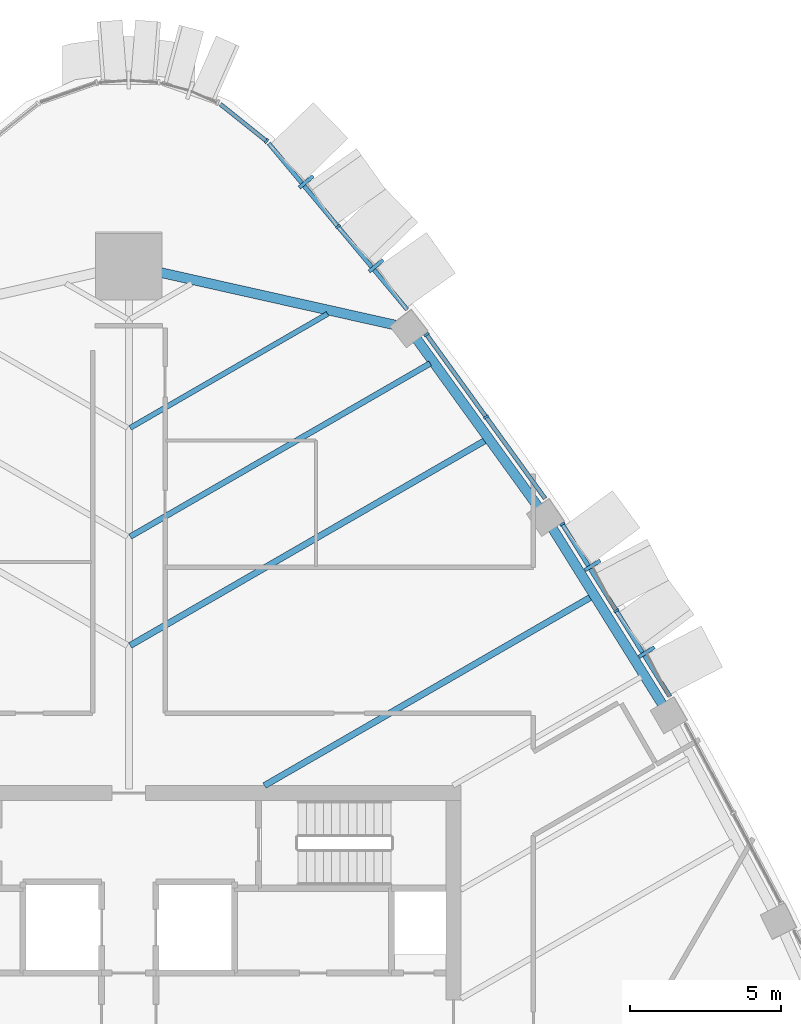
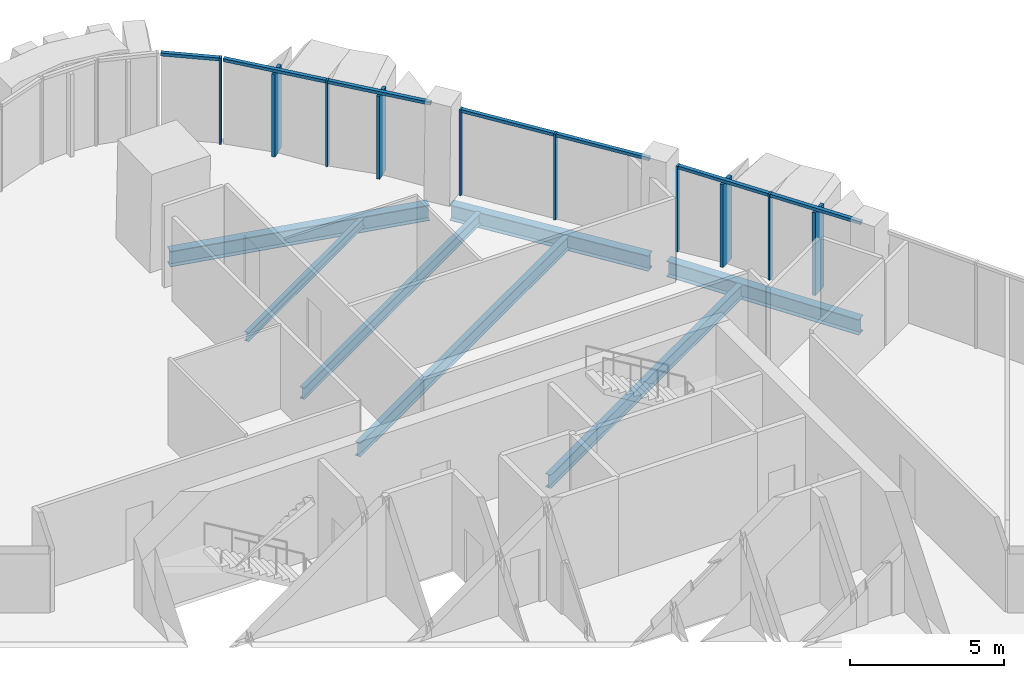
# One storey, part 7 of 18: 17 members, 7 beams, 4 elements without a shape of their own.
"""IFC4 building model written with IfcOpenShell, lengths in metres."""

import ifcopenshell
import ifcopenshell.guid

model = None  # the IFC model being written
_history = None  # IfcOwnerHistory: only IFC2X3 demands one
_inside = {}  # id of a spatial element -> (the spatial element, [elements in it])
_under = {}  # id of a project, library or spatial element -> (it, [spatial elements below it])
_declared = {}  # id of a project -> (the project, [libraries it declares])
_typed = {}  # id of a type object -> (the type object, [elements of that type])
_made_of = {}  # id of a material, layer set ... -> (it, [elements and type objects made of it])


def new_model(schema):
    """Start an empty IFC model of exactly this schema.

    Asked for "IFC4X3", IfcOpenShell would pick the latest addendum, in which some entities
    have other attributes; the version numbers below select the first issue.
    IFC2X3 requires an IfcOwnerHistory on every rooted entity: one is made here for all.
    """
    global model, _history
    if schema == "IFC4X3":
        model = ifcopenshell.file(schema_version=(4, 3, 0, 0))
    else:
        model = ifcopenshell.file(schema=schema)
    _inside.clear()
    _under.clear()
    _declared.clear()
    _typed.clear()
    _made_of.clear()
    _history = None
    if model.schema == "IFC2X3":
        org = make("IfcOrganization", Name="unknown")
        user = make(
            "IfcPersonAndOrganization",
            ThePerson=make("IfcPerson", FamilyName="unknown"),
            TheOrganization=org,
        )
        app = make(
            "IfcApplication",
            ApplicationDeveloper=org,
            Version="unknown",
            ApplicationFullName="unknown",
            ApplicationIdentifier="unknown",
        )
        _history = make(
            "IfcOwnerHistory",
            OwningUser=user,
            OwningApplication=app,
            ChangeAction="ADDED",
            CreationDate=0,
        )
    return model


def make(cls, **values):
    """One entity of the class cls with the attributes given. An attribute that is None is left unset."""
    return model.create_entity(
        cls, **{name: value for name, value in values.items() if value is not None}
    )


def rooted(cls, **values):
    """An entity with a GlobalId (a new one), such as an element, a storey or a relation."""
    return make(cls, GlobalId=ifcopenshell.guid.new(), OwnerHistory=_history, **values)


def si_unit(unit_type, name, prefix=None):
    """IfcSIUnit, for example si_unit("LENGTHUNIT", "METRE", prefix="MILLI")."""
    return make("IfcSIUnit", UnitType=unit_type, Prefix=prefix, Name=name)


def assignment(units):
    """IfcUnitAssignment: the units of a project."""
    return None if units is None else make("IfcUnitAssignment", Units=units)


def point(xyz):
    """IfcCartesianPoint."""
    return None if xyz is None else make("IfcCartesianPoint", Coordinates=xyz)


def direction(xyz):
    """IfcDirection."""
    return None if xyz is None else make("IfcDirection", DirectionRatios=xyz)


def frame(location, z_axis=None, x_axis=None):
    """IfcAxis2Placement3D, a coordinate frame: its origin and axes. An axis left out is left unset."""
    return make(
        "IfcAxis2Placement3D",
        Location=point(location),
        Axis=direction(z_axis),
        RefDirection=direction(x_axis),
    )


def frame_2d(location, x_axis=None):
    """IfcAxis2Placement2D, a coordinate frame in the plane: its origin and x axis."""
    return make(
        "IfcAxis2Placement2D", Location=point(location), RefDirection=direction(x_axis)
    )


def origin():
    """The frame at (0, 0, 0) with its axes left unset."""
    return frame((0.0, 0.0, 0.0))


def origin_2d():
    """The frame at (0, 0) in the plane with its x axis left unset."""
    return frame_2d((0.0, 0.0))


def place(relative_to, where):
    """IfcLocalPlacement: puts the frame where relative to a parent placement (None: the world)."""
    return make(
        "IfcLocalPlacement", PlacementRelTo=relative_to, RelativePlacement=where
    )


def context(
    kind, dimensions, precision=None, world=None, true_north=None, identifier=None
):
    """IfcGeometricRepresentationContext, for example the 3D "Model" context."""
    return make(
        "IfcGeometricRepresentationContext",
        ContextIdentifier=identifier,
        ContextType=kind,
        CoordinateSpaceDimension=dimensions,
        Precision=precision,
        WorldCoordinateSystem=world,
        TrueNorth=true_north,
    )


def subcontext(parent, identifier, kind, view, scale=None):
    """IfcGeometricRepresentationSubContext, for example "Body" below "Model"."""
    return make(
        "IfcGeometricRepresentationSubContext",
        ContextIdentifier=identifier,
        ContextType=kind,
        ParentContext=parent,
        TargetScale=scale,
        TargetView=view,
    )


def project(units=None, contexts=None):
    """IfcProject with its units and contexts."""
    return rooted(
        "IfcProject",
        Name="project",
        RepresentationContexts=contexts,
        UnitsInContext=assignment(units),
    )


def spatial(cls, under=None, at=None, **own):
    """A site, building, storey or space (cls), placed at a placement, below another one or the project."""
    s = rooted(cls, ObjectPlacement=at, **own)
    if under is not None:
        _under.setdefault(under.id(), (under, []))[1].append(s)
    return s


def profile(cls, at=None, kind="AREA", **sizes):
    """A parametric profile (cls). Its sizes go by their IFC names, for example OverallWidth=200.0."""
    return make(cls, ProfileType=kind, Position=at, **sizes)


def rectangle(**sizes):
    """IfcRectangleProfileDef."""
    return profile("IfcRectangleProfileDef", **sizes)


def i_section(**sizes):
    """IfcIShapeProfileDef."""
    return profile("IfcIShapeProfileDef", **sizes)


def extrude(swept, where, along, depth):
    """IfcExtrudedAreaSolid: the profile swept, set in the frame where, extruded along a direction by depth."""
    return make(
        "IfcExtrudedAreaSolid",
        SweptArea=swept,
        Position=where,
        ExtrudedDirection=direction(along),
        Depth=depth,
    )


def shape(context_of_items, identifier, shape_type, items):
    """IfcShapeRepresentation: the items that make up one representation, for example the "Body"."""
    return make(
        "IfcShapeRepresentation",
        ContextOfItems=context_of_items,
        RepresentationIdentifier=identifier,
        RepresentationType=shape_type,
        Items=items,
    )


def material(Name=None, Category=None):
    """IfcMaterial."""
    return make("IfcMaterial", Name=Name, Category=Category)


def layer(
    of_material, thickness, ventilated=None, Name=None, Category=None, Priority=None
):
    """IfcMaterialLayer: one layer of a wall or slab, of a material (None: an air gap)."""
    return make(
        "IfcMaterialLayer",
        Material=of_material,
        LayerThickness=thickness,
        IsVentilated=ventilated,
        Name=Name,
        Category=Category,
        Priority=Priority,
    )


def layer_set(layers, Name=None):
    """IfcMaterialLayerSet."""
    return make("IfcMaterialLayerSet", MaterialLayers=layers, LayerSetName=Name)


def material_profile(
    of_material, cross_section, Name=None, Category=None, Priority=None
):
    """IfcMaterialProfile: a cross section and its material."""
    return make(
        "IfcMaterialProfile",
        Name=Name,
        Material=of_material,
        Profile=cross_section,
        Priority=Priority,
        Category=Category,
    )


def profile_set(profiles, Name=None, composite=None):
    """IfcMaterialProfileSet."""
    return make(
        "IfcMaterialProfileSet",
        Name=Name,
        MaterialProfiles=profiles,
        CompositeProfile=composite,
    )


def made_of(thing, what):
    """Note that an element or type object is made of a material, layer set ...; save() writes the relation."""
    if what is not None:
        _made_of.setdefault(what.id(), (what, []))[1].append(thing)
    return thing


def type_object(cls, material=None, **own):
    """A type object (cls), such as IfcWallType, which elements share."""
    return made_of(rooted(cls, **own), material)


def element(
    cls,
    number,
    at=None,
    inside=None,
    cuts=None,
    type_object=None,
    material=None,
    context=None,
    identifier="Body",
    shape_type=None,
    held_by="IfcProductDefinitionShape",
    body=None,
    shapes=None,
    **own,
):
    """One element of the class cls, such as IfcWall. Its Tag is "e" and its number.

    at: its placement. inside: the storey or other place that contains it. cuts: it is an
    opening in that element (IfcRelVoidsElement). A single representation is given by context,
    identifier, shape_type and body (its items); several are given by shapes. held_by: the class
    of the entity that holds the representations. save() writes the other relations.
    """
    e = rooted(cls, Tag="e%d" % number, ObjectPlacement=at, **own)
    if body is not None:
        shapes = [shape(context, identifier, shape_type, body)]
    if shapes is not None:
        e.Representation = make(held_by, Representations=shapes)
    if inside is not None:
        _inside.setdefault(inside.id(), (inside, []))[1].append(e)
    if cuts is not None:
        rooted(
            "IfcRelVoidsElement", RelatingBuildingElement=cuts, RelatedOpeningElement=e
        )
    if type_object is not None:
        _typed.setdefault(type_object.id(), (type_object, []))[1].append(e)
    return made_of(e, material)


def aggregate(whole, parts):
    """IfcRelAggregates: a whole, such as a stair, and the parts it consists of."""
    return rooted("IfcRelAggregates", RelatingObject=whole, RelatedObjects=parts)


def save(model, path):
    """Write the relations noted so far, then the file.

    IfcRelAggregates (storeys below a building ...), IfcRelContainedInSpatialStructure (elements
    in a storey), IfcRelDefinesByType, IfcRelAssociatesMaterial and IfcRelDeclares: one each for
    every whole, place, type object, material and project.
    """
    for whole, parts in _under.values():
        aggregate(whole, parts)
    for where, things in _inside.values():
        rooted(
            "IfcRelContainedInSpatialStructure",
            RelatedElements=things,
            RelatingStructure=where,
        )
    for kind, things in _typed.values():
        rooted("IfcRelDefinesByType", RelatedObjects=things, RelatingType=kind)
    for what, things in _made_of.values():
        rooted("IfcRelAssociatesMaterial", RelatedObjects=things, RelatingMaterial=what)
    for by, libraries in _declared.values():
        rooted("IfcRelDeclares", RelatingContext=by, RelatedDefinitions=libraries)
    model.write(path)


model = new_model("IFC4")

# Units and contexts
model_context = context("Model", 3, precision=1e-05, world=origin(), true_north=direction((0.0, 1.0)))
body_context = subcontext(model_context, "Body", "Model", "MODEL_VIEW")
ifc_project = project(units=[si_unit("LENGTHUNIT", "METRE"), si_unit("AREAUNIT", "SQUARE_METRE"), si_unit("VOLUMEUNIT", "CUBIC_METRE"), si_unit("PLANEANGLEUNIT", "RADIAN"), si_unit("MASSUNIT", "GRAM", prefix="KILO")], contexts=[model_context])

# Site, building, storey
site_placement = place(None, origin())
site = spatial("IfcSite", under=ifc_project, at=site_placement, CompositionType="ELEMENT")
building_placement = place(site_placement, origin())
building = spatial("IfcBuilding", under=site, at=building_placement, Name="Sierra Prisma Convention Tower", CompositionType="ELEMENT")
storey_placement = place(building_placement, frame((0.0, 0.0, 247.0)))
storey = spatial("IfcBuildingStorey", under=building, at=storey_placement, Name="L55", CompositionType="ELEMENT", Elevation=247.0)

# Curtain wall, members
ifc_material_1 = material(Name="Aluminium and glass curtain wall", Category="aluminium")
ifc_layer_1 = layer(ifc_material_1, 0.179931640625)
ifc_layer_set_1 = layer_set([ifc_layer_1], Name="CW-2 Faceted crystal curtain wall")
curtain_wall_type_1 = type_object("IfcCurtainWallType", Name="CW-2 Faceted crystal curtain wall", PredefinedType="NOTDEFINED", material=ifc_layer_set_1)
curtain_wall_1_placement = place(storey_placement, origin())
curtain_wall_1 = element("IfcCurtainWall", 1, at=curtain_wall_1_placement, inside=storey, type_object=curtain_wall_type_1, Name="CW-2 NE4 L55", PredefinedType="NOTDEFINED")
ifc_material_2 = material(Name="Aluminium 6063-T6 bronze anodised", Category="aluminium")
ifc_material_profile_1 = material_profile(ifc_material_2, rectangle(XDim=0.1201171875, YDim=0.60009765625, at=origin_2d()), Name="ALU RIDGE BLADE 120x600")
ifc_profile_set_1 = profile_set([ifc_material_profile_1], Name="Aluminium 6063-T6 bronze anodised")
member_type_1 = type_object("IfcMemberType", Name="CW hip bronze", PredefinedType="MULLION", material=ifc_profile_set_1)
member_1_placement = place(storey_placement, frame((17.1533203125, 12.421630859375, 0.0), z_axis=(0.0, 0.0, 1.0), x_axis=(-0.529291970398, 0.848439750408, 0.0)))
member_1 = element("IfcMember", 2, at=member_1_placement, type_object=member_type_1, Name="CW-2 ridge NE4.1", PredefinedType="MULLION", context=body_context, shape_type="SweptSolid", body=[
    extrude(rectangle(XDim=0.1201171875, YDim=0.60009765625, at=origin_2d()), origin(), (0.0, 0.0, 1.0), 3.280029296875),
])
member_2_placement = place(storey_placement, frame((15.361572265625, 15.29345703125, 0.0), z_axis=(0.0, 0.0, 1.0), x_axis=(-0.529291970398, 0.848439750408, 0.0)))
member_2 = element("IfcMember", 3, at=member_2_placement, type_object=member_type_1, Name="CW-2 ridge NE4.2", PredefinedType="MULLION", context=body_context, shape_type="SweptSolid", body=[
    extrude(rectangle(XDim=0.1201171875, YDim=0.60009765625, at=origin_2d()), origin(), (0.0, 0.0, 1.0), 3.280029296875),
])

curtain_wall_2_placement = place(storey_placement, origin())
curtain_wall_2 = element("IfcCurtainWall", 4, at=curtain_wall_2_placement, inside=storey, type_object=curtain_wall_type_1, Name="CW-2 NE6 L55", PredefinedType="NOTDEFINED")
member_3_placement = place(storey_placement, frame((8.189208984375, 25.215087890625, 0.0), z_axis=(0.0, 0.0, 1.0), x_axis=(-0.639950693937, 0.768415974151, 0.0)))
member_3 = element("IfcMember", 5, at=member_3_placement, type_object=member_type_1, Name="CW-2 ridge NE6.1", PredefinedType="MULLION", context=body_context, shape_type="SweptSolid", body=[
    extrude(rectangle(XDim=0.1201171875, YDim=0.60009765625, at=origin_2d()), origin(), (0.0, 0.0, 1.0), 3.280029296875),
])
member_4_placement = place(storey_placement, frame((5.875244140625, 27.99365234375, 0.0), z_axis=(0.0, 0.0, 1.0), x_axis=(-0.639950693937, 0.768415974151, 0.0)))
member_4 = element("IfcMember", 6, at=member_4_placement, type_object=member_type_1, Name="CW-2 ridge NE6.2", PredefinedType="MULLION", context=body_context, shape_type="SweptSolid", body=[
    extrude(rectangle(XDim=0.1201171875, YDim=0.60009765625, at=origin_2d()), origin(), (0.0, 0.0, 1.0), 3.280029296875),
])

# Member
ifc_material_3 = material(Name="Aluminium 6063-T6 bronze anodised", Category="aluminium")
ifc_material_profile_2 = material_profile(ifc_material_3, rectangle(XDim=0.179931640625, YDim=0.070068359375, at=origin_2d()), Name="ALU MULLION 70x180")
ifc_profile_set_2 = profile_set([ifc_material_profile_2], Name="Aluminium 6063-T6 bronze anodised")
member_type_2 = type_object("IfcMemberType", Name="CW mullion bronze", PredefinedType="MULLION", material=ifc_profile_set_2)
member_5_placement = place(storey_placement, frame((16.146728515625, 13.78857421875, 0.0), z_axis=(0.0, 0.0, 1.0), x_axis=(-0.848439750408, -0.529291970398, 0.0)))
member_5 = element("IfcMember", 7, at=member_5_placement, type_object=member_type_2, Name="CW-1 mullion NE4.2", PredefinedType="MULLION", context=body_context, shape_type="SweptSolid", body=[
    extrude(rectangle(XDim=0.179931640625, YDim=0.070068359375, at=origin_2d()), origin(), (0.0, 0.0, 1.0), 3.39990234375),
])

member_6_placement = place(storey_placement, frame((14.355224609375, 16.660400390625, 0.0), z_axis=(0.0, 0.0, 1.0), x_axis=(-0.848439750408, -0.529291970398, 0.0)))
member_6 = element("IfcMember", 8, at=member_6_placement, type_object=member_type_2, Name="CW-1 mullion NE4.3", PredefinedType="MULLION", context=body_context, shape_type="SweptSolid", body=[
    extrude(rectangle(XDim=0.179931640625, YDim=0.070068359375, at=origin_2d()), origin(), (0.0, 0.0, 1.0), 3.39990234375),
])

# Curtain wall, members
ifc_material_4 = material(Name="Aluminium and glass curtain wall", Category="aluminium")
ifc_layer_2 = layer(ifc_material_4, 0.179931640625)
ifc_layer_set_2 = layer_set([ifc_layer_2], Name="CW-1 Plain shaft curtain wall")
curtain_wall_type_2 = type_object("IfcCurtainWallType", Name="CW-1 Plain shaft curtain wall", PredefinedType="NOTDEFINED", material=ifc_layer_set_2)
curtain_wall_3_placement = place(storey_placement, origin())
curtain_wall_3 = element("IfcCurtainWall", 9, at=curtain_wall_3_placement, inside=storey, type_object=curtain_wall_type_2, Name="CW-1 NE5 L55", PredefinedType="NOTDEFINED")
member_7_placement = place(storey_placement, frame((11.833251953125, 20.205810546875, 0.0), z_axis=(0.0, 0.0, 1.0), x_axis=(-0.810319040127, -0.585988953145, 0.0)))
member_7 = element("IfcMember", 10, at=member_7_placement, type_object=member_type_2, Name="CW-1 mullion NE5.2", PredefinedType="MULLION", context=body_context, shape_type="SweptSolid", body=[
    extrude(rectangle(XDim=0.179931640625, YDim=0.070068359375, at=origin_2d()), origin(), (0.0, 0.0, 1.0), 3.39990234375),
])
member_8_placement = place(storey_placement, frame((9.8583984375, 22.9365234375, 0.0), z_axis=(0.0, 0.0, 1.0), x_axis=(-0.810319040127, -0.585988953145, 0.0)))
member_8 = element("IfcMember", 11, at=member_8_placement, type_object=member_type_2, Name="CW-1 mullion NE5.3", PredefinedType="MULLION", context=body_context, shape_type="SweptSolid", body=[
    extrude(rectangle(XDim=0.179931640625, YDim=0.070068359375, at=origin_2d()), origin(), (0.0, 0.0, 1.0), 3.39990234375),
])

# Member
member_9_placement = place(storey_placement, frame((6.925048828125, 26.51513671875, 0.0), z_axis=(0.0, 0.0, 1.0), x_axis=(-0.768415974151, -0.639950693937, 0.0)))
member_9 = element("IfcMember", 12, at=member_9_placement, type_object=member_type_2, Name="CW-1 mullion NE6.2", PredefinedType="MULLION", context=body_context, shape_type="SweptSolid", body=[
    extrude(rectangle(XDim=0.179931640625, YDim=0.070068359375, at=origin_2d()), origin(), (0.0, 0.0, 1.0), 3.39990234375),
])

# Curtain wall, member
curtain_wall_4_placement = place(storey_placement, origin())
curtain_wall_4 = element("IfcCurtainWall", 13, at=curtain_wall_4_placement, inside=storey, type_object=curtain_wall_type_2, Name="CW-1 N1 L55", PredefinedType="NOTDEFINED")
member_10_placement = place(storey_placement, frame((4.561279296875, 29.342529296875, 0.0), z_axis=(0.0, 0.0, 1.0), x_axis=(-0.623925736689, -0.781483637127, 0.0)))
member_10 = element("IfcMember", 14, at=member_10_placement, type_object=member_type_2, Name="CW-1 mullion N1.1", PredefinedType="MULLION", context=body_context, shape_type="SweptSolid", body=[
    extrude(rectangle(XDim=0.179931640625, YDim=0.070068359375, at=origin_2d()), origin(), (0.0, 0.0, 1.0), 3.39990234375),
])

# Member
ifc_material_5 = material(Name="Aluminium 6063-T6 bronze anodised", Category="aluminium")
ifc_material_profile_3 = material_profile(ifc_material_5, rectangle(XDim=0.139892578125, YDim=0.1201171875, at=origin_2d()), Name="ALU TRANSOM 120x140")
ifc_profile_set_3 = profile_set([ifc_material_profile_3], Name="Aluminium 6063-T6 bronze anodised")
member_type_3 = type_object("IfcMemberType", Name="CW transom bronze", PredefinedType="USERDEFINED", material=ifc_profile_set_3)
member_11_placement = place(storey_placement, frame((17.919921875, 10.9462890625, 3.340087890625), z_axis=(-0.529310277913, 0.848428329145, 0.0), x_axis=(-0.848428329145, -0.529310277913, 0.0)))
member_11 = element("IfcMember", 15, at=member_11_placement, type_object=member_type_3, Name="CW-1 transom NE4.1", ObjectType="TRANSOM", PredefinedType="USERDEFINED", context=body_context, shape_type="SweptSolid", body=[
    extrude(rectangle(XDim=0.139892578125, YDim=0.1201171875, at=origin_2d()), origin(), (0.0, 0.0, 1.0), 3.31494140625),
])

member_12_placement = place(storey_placement, frame((16.128173828125, 13.818115234375, 3.340087890625), z_axis=(-0.529224188805, 0.848482031621, 0.0), x_axis=(-0.848482031621, -0.529224188805, 0.0)))
member_12 = element("IfcMember", 16, at=member_12_placement, type_object=member_type_3, Name="CW-1 transom NE4.2", ObjectType="TRANSOM", PredefinedType="USERDEFINED", context=body_context, shape_type="SweptSolid", body=[
    extrude(rectangle(XDim=0.139892578125, YDim=0.1201171875, at=origin_2d()), origin(), (0.0, 0.0, 1.0), 3.31494140625),
])

aggregate(curtain_wall_1, [member_5, member_6, member_11, member_1, member_12, member_2])

member_13_placement = place(storey_placement, frame((13.787353515625, 17.50341796875, 3.340087890625), z_axis=(-0.585952370362, 0.810345494013, 0.0), x_axis=(-0.810345494013, -0.585952370362, 0.0)))
member_13 = element("IfcMember", 17, at=member_13_placement, type_object=member_type_3, Name="CW-1 transom NE5.1", ObjectType="TRANSOM", PredefinedType="USERDEFINED", context=body_context, shape_type="SweptSolid", body=[
    extrude(rectangle(XDim=0.139892578125, YDim=0.1201171875, at=origin_2d()), origin(), (0.0, 0.0, 1.0), 3.2998046875),
])

member_14_placement = place(storey_placement, frame((11.812744140625, 20.234130859375, 3.340087890625), z_axis=(-0.586000949448, 0.810310364765, 0.0), x_axis=(-0.810310364765, -0.586000949448, 0.0)))
member_14 = element("IfcMember", 18, at=member_14_placement, type_object=member_type_3, Name="CW-1 transom NE5.2", ObjectType="TRANSOM", PredefinedType="USERDEFINED", context=body_context, shape_type="SweptSolid", body=[
    extrude(rectangle(XDim=0.139892578125, YDim=0.1201171875, at=origin_2d()), origin(), (0.0, 0.0, 1.0), 3.300048828125),
])

aggregate(curtain_wall_3, [member_7, member_8, member_13, member_14])

member_15_placement = place(storey_placement, frame((9.216796875, 23.763427734375, 3.340087890625), z_axis=(-0.639947349568, 0.768418759389, 0.0), x_axis=(-0.768418759389, -0.639947349568, 0.0)))
member_15 = element("IfcMember", 19, at=member_15_placement, type_object=member_type_3, Name="CW-1 transom NE6.1", ObjectType="TRANSOM", PredefinedType="USERDEFINED", context=body_context, shape_type="SweptSolid", body=[
    extrude(rectangle(XDim=0.139892578125, YDim=0.1201171875, at=origin_2d()), origin(), (0.0, 0.0, 1.0), 3.546142578125),
])

member_16_placement = place(storey_placement, frame((6.902587890625, 26.5419921875, 3.340087890625), z_axis=(-0.639947349568, 0.768418759389, 0.0), x_axis=(-0.768418759389, -0.639947349568, 0.0)))
member_16 = element("IfcMember", 20, at=member_16_placement, type_object=member_type_3, Name="CW-1 transom NE6.2", ObjectType="TRANSOM", PredefinedType="USERDEFINED", context=body_context, shape_type="SweptSolid", body=[
    extrude(rectangle(XDim=0.139892578125, YDim=0.1201171875, at=origin_2d()), origin(), (0.0, 0.0, 1.0), 3.546142578125),
])

aggregate(curtain_wall_2, [member_9, member_15, member_3, member_16, member_4])

member_17_placement = place(storey_placement, frame((4.533935546875, 29.3642578125, 3.340087890625), z_axis=(-0.78151275413, 0.62388926512, 0.0), x_axis=(-0.62388926512, -0.78151275413, 0.0)))
member_17 = element("IfcMember", 21, at=member_17_placement, type_object=member_type_3, Name="CW-1 transom N1.1", ObjectType="TRANSOM", PredefinedType="USERDEFINED", context=body_context, shape_type="SweptSolid", body=[
    extrude(rectangle(XDim=0.139892578125, YDim=0.1201171875, at=origin_2d()), origin(), (0.0, 0.0, 1.0), 1.922119140625),
])

aggregate(curtain_wall_4, [member_10, member_17])

# Beams
ifc_material_6 = material(Name="Steel ASTM A992 Gr 50", Category="steel")
ifc_material_profile_4 = material_profile(ifc_material_6, i_section(OverallWidth=0.172119140625, OverallDepth=0.35791015625, WebThickness=0.0078125, FlangeThickness=0.01318359375, at=origin_2d()), Name="W360x57")
ifc_profile_set_4 = profile_set([ifc_material_profile_4], Name="Steel ASTM A992 Gr 50")
beam_type_1 = type_object("IfcBeamType", Name="Floor joist W360x57", PredefinedType="JOIST", material=ifc_profile_set_4)
beam_1_placement = place(storey_placement, frame((6.58154296875, 23.6201171875, -0.3291015625), z_axis=(-0.86602073492, -0.500008086624, 0.0), x_axis=(0.500008086624, -0.86602073492, 0.0)))
element("IfcBeam", 22, at=beam_1_placement, inside=storey, type_object=beam_type_1, Name="Floor joist L55 NE13", PredefinedType="JOIST", context=body_context, shape_type="SweptSolid", body=[
    extrude(i_section(OverallWidth=0.172119140625, OverallDepth=0.35791015625, WebThickness=0.0078125, FlangeThickness=0.01318359375, at=origin_2d()), origin(), (0.0, 0.0, 1.0), 7.546875),
])
ifc_material_7 = material(Name="Steel ASTM A992 Gr 50", Category="steel")
ifc_material_profile_5 = material_profile(ifc_material_7, i_section(OverallWidth=0.18994140625, OverallDepth=0.45703125, WebThickness=0.009033203125, FlangeThickness=0.014404296875, at=origin_2d()), Name="W460x74")
ifc_profile_set_5 = profile_set([ifc_material_profile_5], Name="Steel ASTM A992 Gr 50")
beam_type_2 = type_object("IfcBeamType", Name="Floor joist W460x74", PredefinedType="JOIST", material=ifc_profile_set_5)
beam_2_placement = place(storey_placement, frame((9.980224609375, 21.978759765625, -0.37841796875), z_axis=(-0.866025033342, -0.500000641624, 0.0), x_axis=(0.500000641624, -0.866025033342, 0.0)))
element("IfcBeam", 23, at=beam_2_placement, inside=storey, type_object=beam_type_2, Name="Floor joist L55 NE12", PredefinedType="JOIST", context=body_context, shape_type="SweptSolid", body=[
    extrude(i_section(OverallWidth=0.18994140625, OverallDepth=0.45703125, WebThickness=0.009033203125, FlangeThickness=0.014404296875, at=origin_2d()), origin(), (0.0, 0.0, 1.0), 11.47119140625),
])
ifc_material_8 = material(Name="Steel ASTM A992 Gr 50", Category="steel")
ifc_material_profile_6 = material_profile(ifc_material_8, i_section(OverallWidth=0.208984375, OverallDepth=0.532958984375, WebThickness=0.01025390625, FlangeThickness=0.015625, at=origin_2d()), Name="W530x92")
ifc_profile_set_6 = profile_set([ifc_material_profile_6], Name="Steel ASTM A992 Gr 50")
beam_type_3 = type_object("IfcBeamType", Name="Floor joist W530x92", PredefinedType="JOIST", material=ifc_profile_set_6)
beam_3_placement = place(storey_placement, frame((15.3154296875, 14.247802734375, -0.41650390625), z_axis=(-0.866025832565, -0.49999925733, 0.0), x_axis=(0.49999925733, -0.866025832565, 0.0)))
element("IfcBeam", 24, at=beam_3_placement, inside=storey, type_object=beam_type_3, Name="Floor joist L55 NE09", PredefinedType="JOIST", context=body_context, shape_type="SweptSolid", body=[
    extrude(i_section(OverallWidth=0.208984375, OverallDepth=0.532958984375, WebThickness=0.01025390625, FlangeThickness=0.015625, at=origin_2d()), origin(), (0.0, 0.0, 1.0), 12.49560546875),
])
beam_4_placement = place(storey_placement, frame((11.818603515625, 19.4365234375, -0.41650390625), z_axis=(-0.866020794763, -0.500007982974, 0.0), x_axis=(0.500007982974, -0.866020794763, 0.0)))
element("IfcBeam", 25, at=beam_4_placement, inside=storey, type_object=beam_type_3, Name="Floor joist L55 NE11", PredefinedType="JOIST", context=body_context, shape_type="SweptSolid", body=[
    extrude(i_section(OverallWidth=0.208984375, OverallDepth=0.532958984375, WebThickness=0.01025390625, FlangeThickness=0.015625, at=origin_2d()), origin(), (0.0, 0.0, 1.0), 13.593994140625),
])
ifc_material_9 = material(Name="Steel ASTM A992 Gr 50", Category="steel")
ifc_material_profile_7 = material_profile(ifc_material_9, i_section(OverallWidth=0.324951171875, OverallDepth=0.615966796875, WebThickness=0.013916015625, FlangeThickness=0.021484375, at=origin_2d()), Name="W610x174")
ifc_profile_set_7 = profile_set([ifc_material_profile_7], Name="Steel ASTM A992 Gr 50")
beam_type_4 = type_object("IfcBeamType", Name="Spandrel beam W610x174", PredefinedType="BEAM", material=ifc_profile_set_7)
beam_5_placement = place(storey_placement, frame((17.71728515625, 10.610107421875, -0.4580078125), z_axis=(-0.529297038175, 0.848436588897, 0.0), x_axis=(-0.848436588897, -0.529297038175, 0.0)))
element("IfcBeam", 26, at=beam_5_placement, inside=storey, type_object=beam_type_4, Name="Spandrel L55-10", PredefinedType="BEAM", context=body_context, shape_type="SweptSolid", body=[
    extrude(i_section(OverallWidth=0.324951171875, OverallDepth=0.615966796875, WebThickness=0.013916015625, FlangeThickness=0.021484375, at=origin_2d()), origin(), (0.0, 0.0, 1.0), 7.06787109375),
])
beam_6_placement = place(storey_placement, frame((13.608154296875, 17.154541015625, -0.4580078125), z_axis=(-0.585992405388, 0.810316543597, 0.0), x_axis=(-0.810316543597, -0.585992405388, 0.0)))
element("IfcBeam", 27, at=beam_6_placement, inside=storey, type_object=beam_type_4, Name="Spandrel L55-11", PredefinedType="BEAM", context=body_context, shape_type="SweptSolid", body=[
    extrude(i_section(OverallWidth=0.324951171875, OverallDepth=0.615966796875, WebThickness=0.013916015625, FlangeThickness=0.021484375, at=origin_2d()), origin(), (0.0, 0.0, 1.0), 7.067626953125),
])
beam_7_placement = place(storey_placement, frame((8.820556640625, 23.25048828125, -0.4580078125), z_axis=(-0.975830534252, 0.218528644394, 0.0), x_axis=(-0.218528644394, -0.975830534252, 0.0)))
element("IfcBeam", 28, at=beam_7_placement, inside=storey, type_object=beam_type_4, Name="Spandrel L55-12", PredefinedType="BEAM", context=body_context, shape_type="SweptSolid", body=[
    extrude(i_section(OverallWidth=0.324951171875, OverallDepth=0.615966796875, WebThickness=0.013916015625, FlangeThickness=0.021484375, at=origin_2d()), origin(), (0.0, 0.0, 1.0), 8.813720703125),
])

save(model, "model.ifc")
